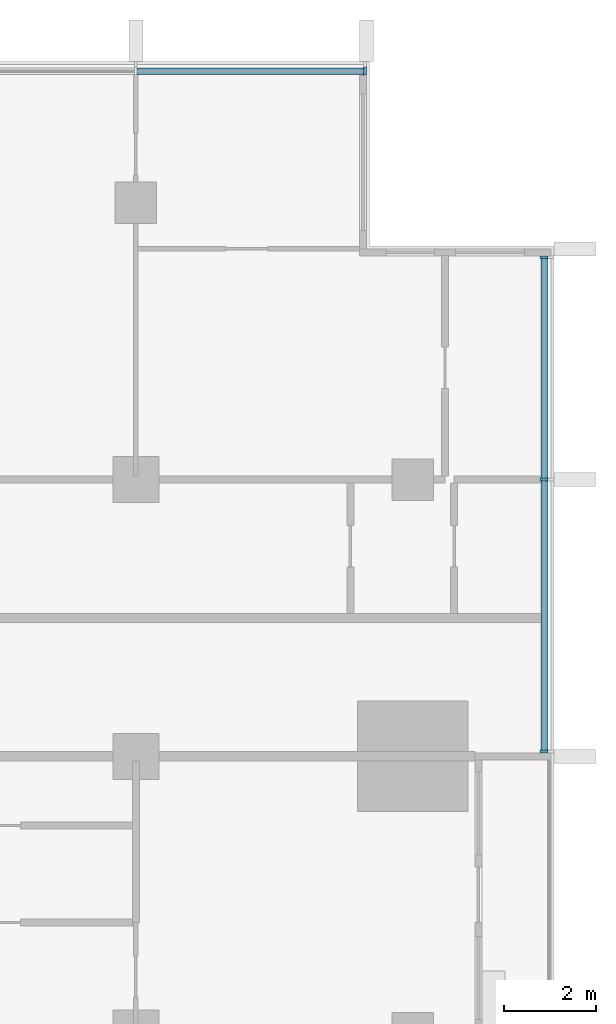
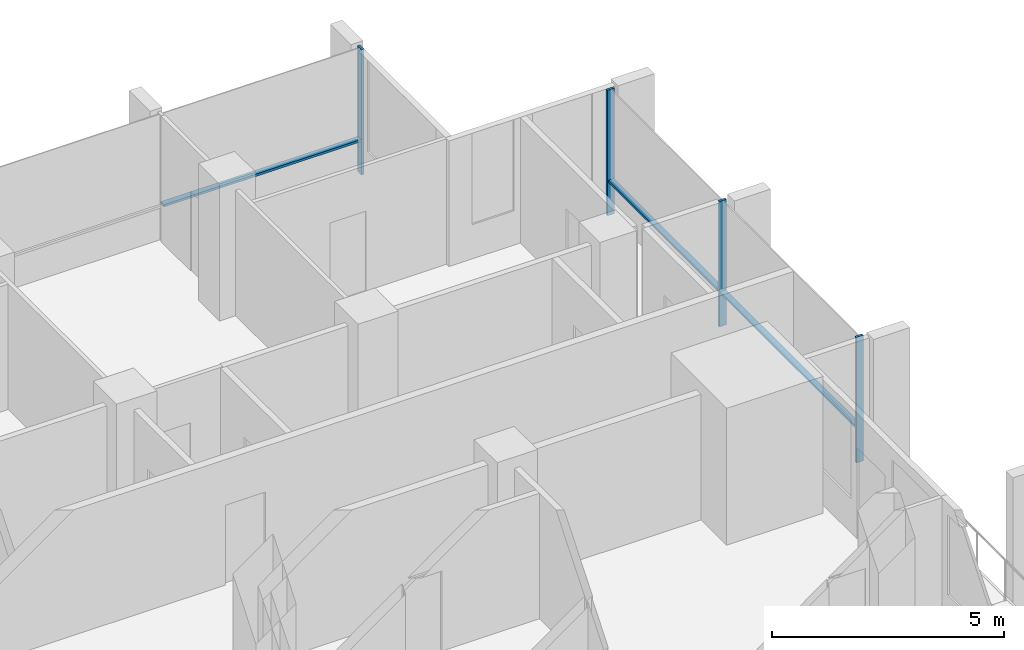
# One storey, part 5 of 17: 7 members, 2 elements without a shape of their own.
"""IFC4 building model written with IfcOpenShell, lengths in metres."""

from ifc_helpers import new_model, si_unit, direction, frame, origin, origin_2d, place, context, subcontext, project, spatial, rectangle, extrude, material, material_profile, profile_set, type_object, element, aggregate, save


model = new_model("IFC4")

# Units and contexts
model_context = context("Model", 3, precision=1e-05, world=origin(), true_north=direction((0.0, 1.0)))
body_context = subcontext(model_context, "Body", "Model", "MODEL_VIEW")
ifc_project = project(units=[si_unit("LENGTHUNIT", "METRE"), si_unit("AREAUNIT", "SQUARE_METRE"), si_unit("VOLUMEUNIT", "CUBIC_METRE"), si_unit("PLANEANGLEUNIT", "RADIAN"), si_unit("MASSUNIT", "GRAM", prefix="KILO")], contexts=[model_context])

# Site, building, storey
site_placement = place(None, origin())
site = spatial("IfcSite", under=ifc_project, at=site_placement, CompositionType="ELEMENT")
building_placement = place(site_placement, origin())
building = spatial("IfcBuilding", under=site, at=building_placement, Name="Finial Court Residences", CompositionType="ELEMENT")
storey_placement = place(building_placement, frame((0.0, 0.0, 152.89990234375)))
storey = spatial("IfcBuildingStorey", under=building, at=storey_placement, Name="L37", CompositionType="ELEMENT", Elevation=152.89990234375)

# Curtain wall, member
ifc_material = material(Name="Bronze anodised aluminium", Category="aluminium")
curtain_wall_type = type_object("IfcCurtainWallType", Name="Unitised curtain wall, upper zones", PredefinedType="NOTDEFINED", material=ifc_material)
curtain_wall_1_placement = place(storey_placement, origin())
curtain_wall_1 = element("IfcCurtainWall", 1, at=curtain_wall_1_placement, inside=storey, type_object=curtain_wall_type, Name="E-L37-CW-N3", PredefinedType="NOTDEFINED")
ifc_material_profile_1 = material_profile(ifc_material, rectangle(XDim=0.175048828125, YDim=0.06005859375, at=origin_2d()), Name="CW2 mullion 60 x 175")
ifc_profile_set_1 = profile_set([ifc_material_profile_1], Name="Bronze anodised aluminium")
member_type_1 = type_object("IfcMemberType", Name="CW2 mullion 60 x 175", PredefinedType="MULLION", material=ifc_profile_set_1)
member_1_placement = place(storey_placement, frame((15.469970703125, 22.35009765625, 0.0), z_axis=(0.0, 0.0, 1.0), x_axis=(0.0, 1.0, 0.0)))
member_1 = element("IfcMember", 2, at=member_1_placement, type_object=member_type_1, Name="CW2 mullion 3", PredefinedType="MULLION", context=body_context, shape_type="SweptSolid", body=[
    extrude(rectangle(XDim=0.175048828125, YDim=0.06005859375, at=origin_2d()), origin(), (0.0, 0.0, 1.0), 3.300048828125),
])

# Curtain wall, members
curtain_wall_2_placement = place(storey_placement, origin())
curtain_wall_2 = element("IfcCurtainWall", 3, at=curtain_wall_2_placement, inside=storey, type_object=curtain_wall_type, Name="E-L37-CW-E6", PredefinedType="NOTDEFINED")
member_2_placement = place(storey_placement, frame((19.35009765625, 7.60498046875, 0.0), z_axis=(0.0, 0.0, 1.0), x_axis=(-1.0, 0.0, 0.0)))
member_2 = element("IfcMember", 4, at=member_2_placement, type_object=member_type_1, Name="CW2 mullion 1", PredefinedType="MULLION", context=body_context, shape_type="SweptSolid", body=[
    extrude(rectangle(XDim=0.175048828125, YDim=0.06005859375, at=origin_2d()), origin(), (0.0, 0.0, 1.0), 3.300048828125),
])
member_3_placement = place(storey_placement, frame((19.35009765625, 13.5, 0.0), z_axis=(0.0, 0.0, 1.0), x_axis=(-1.0, 0.0, 0.0)))
member_3 = element("IfcMember", 5, at=member_3_placement, type_object=member_type_1, Name="CW2 mullion 2", PredefinedType="MULLION", context=body_context, shape_type="SweptSolid", body=[
    extrude(rectangle(XDim=0.175048828125, YDim=0.06005859375, at=origin_2d()), origin(), (0.0, 0.0, 1.0), 3.300048828125),
])
member_4_placement = place(storey_placement, frame((19.35009765625, 18.320068359375, 0.0), z_axis=(0.0, 0.0, 1.0), x_axis=(-1.0, 0.0, 0.0)))
member_4 = element("IfcMember", 6, at=member_4_placement, type_object=member_type_1, Name="CW2 mullion 3", PredefinedType="MULLION", context=body_context, shape_type="SweptSolid", body=[
    extrude(rectangle(XDim=0.175048828125, YDim=0.06005859375, at=origin_2d()), origin(), (0.0, 0.0, 1.0), 3.300048828125),
])

# Member
ifc_material_profile_2 = material_profile(ifc_material, rectangle(XDim=0.139892578125, YDim=0.06005859375, at=origin_2d()), Name="CW2 transom 60 x 140")
ifc_profile_set_2 = profile_set([ifc_material_profile_2], Name="Bronze anodised aluminium")
member_type_2 = type_object("IfcMemberType", Name="CW2 transom 60 x 140", PredefinedType="USERDEFINED", material=ifc_profile_set_2)
member_5_placement = place(storey_placement, frame((10.530029296875, 22.35009765625, 0.900146484375), z_axis=(1.0, 0.0, 0.0), x_axis=(0.0, 1.0, 0.0)))
member_5 = element("IfcMember", 7, at=member_5_placement, type_object=member_type_2, Name="CW2 transom 2.1", ObjectType="TRANSOM", PredefinedType="USERDEFINED", context=body_context, shape_type="SweptSolid", body=[
    extrude(rectangle(XDim=0.139892578125, YDim=0.06005859375, at=origin_2d()), origin(), (0.0, 0.0, 1.0), 4.909912109375),
])

aggregate(curtain_wall_1, [member_1, member_5])

member_6_placement = place(storey_placement, frame((19.35009765625, 7.635009765625, 0.900146484375), z_axis=(0.0, 1.0, 0.0), x_axis=(-1.0, 0.0, 0.0)))
member_6 = element("IfcMember", 8, at=member_6_placement, type_object=member_type_2, Name="CW2 transom 1.1", ObjectType="TRANSOM", PredefinedType="USERDEFINED", context=body_context, shape_type="SweptSolid", body=[
    extrude(rectangle(XDim=0.139892578125, YDim=0.06005859375, at=origin_2d()), origin(), (0.0, 0.0, 1.0), 5.8349609375),
])

member_7_placement = place(storey_placement, frame((19.35009765625, 13.530029296875, 0.900146484375), z_axis=(0.0, 1.0, 0.0), x_axis=(-1.0, 0.0, 0.0)))
member_7 = element("IfcMember", 9, at=member_7_placement, type_object=member_type_2, Name="CW2 transom 2.1", ObjectType="TRANSOM", PredefinedType="USERDEFINED", context=body_context, shape_type="SweptSolid", body=[
    extrude(rectangle(XDim=0.139892578125, YDim=0.06005859375, at=origin_2d()), origin(), (0.0, 0.0, 1.0), 4.760009765625),
])

aggregate(curtain_wall_2, [member_2, member_3, member_4, member_6, member_7])

save(model, "model.ifc")
